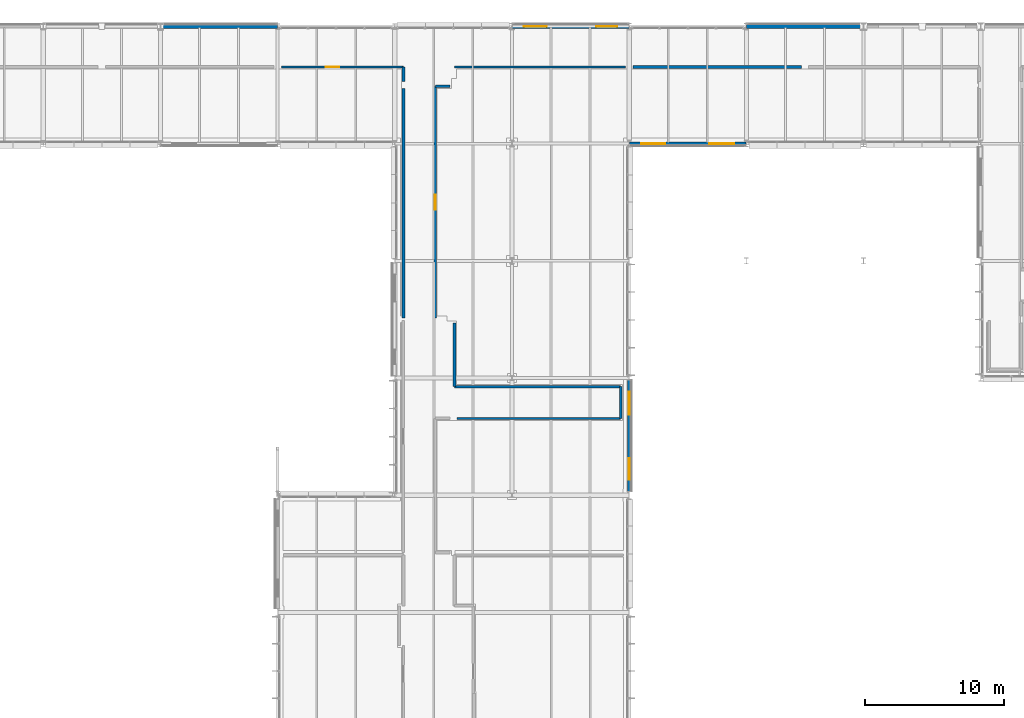
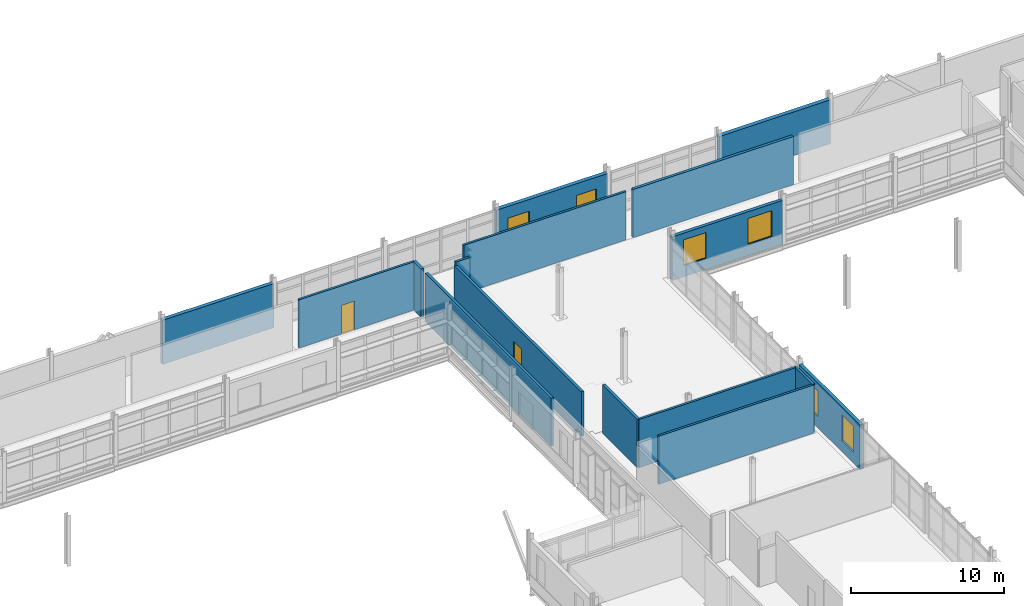
# One storey, part 87 of 103: 16 walls, 6 windows, 2 doors, 8 openings.
"""IFC4 building model written with IfcOpenShell, lengths in metres."""

from ifc_helpers import new_model, si_unit, direction, frame, frame_2d, origin, place, context, subcontext, project, spatial, rectangle, extrude, material, layer, layer_set, type_object, element, fill, save


model = new_model("IFC4")

# Units and contexts
model_context = context("Model", 3, precision=1e-05, world=origin(), true_north=direction((0.0, 1.0)))
body_context = subcontext(model_context, "Body", "Model", "MODEL_VIEW")
ifc_project = project(units=[si_unit("LENGTHUNIT", "METRE"), si_unit("AREAUNIT", "SQUARE_METRE"), si_unit("VOLUMEUNIT", "CUBIC_METRE"), si_unit("PLANEANGLEUNIT", "RADIAN"), si_unit("MASSUNIT", "GRAM", prefix="KILO")], contexts=[model_context])

# Site, building, storey
site_placement = place(None, origin())
site = spatial("IfcSite", under=ifc_project, at=site_placement, CompositionType="ELEMENT")
building_placement = place(site_placement, origin())
building = spatial("IfcBuilding", under=site, at=building_placement, Name="Mersafa Astral City Hall", CompositionType="ELEMENT")
storey_placement = place(building_placement, frame((0.0, 0.0, 18.0)))
storey = spatial("IfcBuildingStorey", under=building, at=storey_placement, Name="L04", CompositionType="ELEMENT", Elevation=18.0)

# Wall, openings, windows
ifc_material_1 = material(Name="Precast concrete C40/50 insulated terracotta spandrel", Category="masonry")
ifc_layer_1 = layer(ifc_material_1, 0.235107421875, Name="Precast concrete C40/50 insulated terracotta spandrel")
ifc_layer_set_1 = layer_set([ifc_layer_1], Name="Precast concrete C40/50 insulated terracotta spandrel — ENV-WAL-EXT-235")
wall_type_1 = type_object("IfcWallType", Name="ENV-WAL-EXT-235", PredefinedType="STANDARD", material=ifc_layer_set_1)
wall_1_placement = place(storey_placement, frame((117.60791015625, 117.60009765625, 0.0), z_axis=(0.0, 0.0, 1.0), x_axis=(1.0, 0.0, 0.0)))
wall_1 = element("IfcWall", 1, at=wall_1_placement, inside=storey, type_object=wall_type_1, Name="L04 Limestone-clad exterior wall 329", PredefinedType="STANDARD", context=body_context, shape_type="SweptSolid", body=[
    extrude(rectangle(XDim=8.384033203125, YDim=0.235107421875, at=frame_2d((4.19189453125, 0.0))), origin(), (0.0, 0.0, 1.0), 3.491943359375),
])
opening_1_placement = place(wall_1_placement, frame((0.85009765625, 0.0, 0.89990234375)))
opening_1 = element("IfcOpeningElement", 2, at=opening_1_placement, cuts=wall_1, Name="Opening W-58", PredefinedType="OPENING", context=body_context, shape_type="SweptSolid", body=[
    extrude(rectangle(XDim=1.719970703125, YDim=2.050048828125, at=frame_2d((0.85986328125, 1.02490234375))), frame((0.0, 0.12744140625, 0.0), z_axis=(0.0, -1.0, 0.0), x_axis=(1.0, 0.0, 0.0)), (0.0, 0.0, 1.0), 0.255126953125),
])
opening_2_placement = place(wall_1_placement, frame((5.714111328125, 0.0, 0.89990234375)))
opening_2 = element("IfcOpeningElement", 3, at=opening_2_placement, cuts=wall_1, Name="Opening W-59", PredefinedType="OPENING", context=body_context, shape_type="SweptSolid", body=[
    extrude(rectangle(XDim=1.820068359375, YDim=2.050048828125, at=frame_2d((0.91015625, 1.02490234375))), frame((0.0, 0.12744140625, 0.0), z_axis=(0.0, -1.0, 0.0), x_axis=(1.0, 0.0, 0.0)), (0.0, 0.0, 1.0), 0.255126953125),
])
ifc_material_2 = material(Name="Solar control low-e double glazing in bronze frame", Category="glass")
window_type_1 = type_object("IfcWindowType", Name="ENV-WIN-W-58", PartitioningType="SINGLE_PANEL", PredefinedType="WINDOW", material=ifc_material_2)
window_1_placement = place(opening_1_placement, origin())
window_1 = element("IfcWindow", 4, at=window_1_placement, inside=storey, type_object=window_type_1, Name="L04 Solar punched window 329-L", OverallHeight=2.050048828125, OverallWidth=1.719970703125, PartitioningType="SINGLE_PANEL", PredefinedType="WINDOW", context=body_context, shape_type="SweptSolid", body=[
    extrude(rectangle(XDim=1.719970703125, YDim=2.050048828125, at=frame_2d((0.85986328125, 1.02490234375))), frame((0.0, 0.030029296875, 0.0), z_axis=(0.0, -1.0, 0.0), x_axis=(1.0, 0.0, 0.0)), (0.0, 0.0, 1.0), 0.06005859375),
])
fill(opening_1, window_1)
window_type_2 = type_object("IfcWindowType", Name="ENV-WIN-W-59", PartitioningType="SINGLE_PANEL", PredefinedType="WINDOW", material=ifc_material_2)
window_2_placement = place(opening_2_placement, origin())
window_2 = element("IfcWindow", 5, at=window_2_placement, inside=storey, type_object=window_type_2, Name="L04 Solar punched window 329-R", OverallHeight=2.050048828125, OverallWidth=1.820068359375, PartitioningType="SINGLE_PANEL", PredefinedType="WINDOW", context=body_context, shape_type="SweptSolid", body=[
    extrude(rectangle(XDim=1.820068359375, YDim=2.050048828125, at=frame_2d((0.91015625, 1.02490234375))), frame((0.0, 0.030029296875, 0.0), z_axis=(0.0, -1.0, 0.0), x_axis=(1.0, 0.0, 0.0)), (0.0, 0.0, 1.0), 0.06005859375),
])
fill(opening_2, window_2)

ifc_layer_2 = layer(ifc_material_1, 0.25, Name="Precast concrete C40/50 insulated terracotta spandrel")
ifc_layer_set_2 = layer_set([ifc_layer_2], Name="Precast concrete C40/50 insulated terracotta spandrel — ENV-WAL-EXT-250")
wall_type_2 = type_object("IfcWallType", Name="ENV-WAL-EXT-250", PredefinedType="STANDARD", material=ifc_layer_set_2)
wall_2_placement = place(storey_placement, frame((117.60009765625, 92.6708984375, 0.0), z_axis=(0.0, 0.0, 1.0), x_axis=(0.0, 1.0, 0.0)))
wall_2 = element("IfcWall", 6, at=wall_2_placement, inside=storey, type_object=wall_type_2, Name="L04 Limestone-clad exterior wall 328", PredefinedType="STANDARD", context=body_context, shape_type="SweptSolid", body=[
    extrude(rectangle(XDim=7.983154296875, YDim=0.25, at=frame_2d((3.99169921875, 0.0))), origin(), (0.0, 0.0, 1.0), 3.56201171875),
])
opening_3_placement = place(wall_2_placement, frame((0.85009765625, 0.0, 0.89990234375)))
opening_3 = element("IfcOpeningElement", 7, at=opening_3_placement, cuts=wall_2, Name="Opening W-56", PredefinedType="OPENING", context=body_context, shape_type="SweptSolid", body=[
    extrude(rectangle(XDim=1.52001953125, YDim=2.050048828125, at=frame_2d((0.760009765625, 1.02490234375))), frame((0.0, 0.135009765625, 0.0), z_axis=(0.0, -1.0, 0.0), x_axis=(1.0, 0.0, 0.0)), (0.0, 0.0, 1.0), 0.27001953125),
])
opening_4_placement = place(wall_2_placement, frame((5.512939453125, 0.0, 0.89990234375)))
opening_4 = element("IfcOpeningElement", 8, at=opening_4_placement, cuts=wall_2, Name="Opening W-57", PredefinedType="OPENING", context=body_context, shape_type="SweptSolid", body=[
    extrude(rectangle(XDim=1.6201171875, YDim=2.050048828125, at=frame_2d((0.81005859375, 1.02490234375))), frame((0.0, 0.135009765625, 0.0), z_axis=(0.0, -1.0, 0.0), x_axis=(1.0, 0.0, 0.0)), (0.0, 0.0, 1.0), 0.27001953125),
])
window_type_3 = type_object("IfcWindowType", Name="ENV-WIN-W-56", PartitioningType="SINGLE_PANEL", PredefinedType="WINDOW", material=ifc_material_2)
window_3_placement = place(opening_3_placement, origin())
window_3 = element("IfcWindow", 9, at=window_3_placement, inside=storey, type_object=window_type_3, Name="L04 Solar punched window 328-L", OverallHeight=2.050048828125, OverallWidth=1.52001953125, PartitioningType="SINGLE_PANEL", PredefinedType="WINDOW", context=body_context, shape_type="SweptSolid", body=[
    extrude(rectangle(XDim=1.52001953125, YDim=2.050048828125, at=frame_2d((0.760009765625, 1.02490234375))), frame((0.0, 0.030029296875, 0.0), z_axis=(0.0, -1.0, 0.0), x_axis=(1.0, 0.0, 0.0)), (0.0, 0.0, 1.0), 0.06005859375),
])
fill(opening_3, window_3)
window_type_4 = type_object("IfcWindowType", Name="ENV-WIN-W-57", PartitioningType="SINGLE_PANEL", PredefinedType="WINDOW", material=ifc_material_2)
window_4_placement = place(opening_4_placement, origin())
window_4 = element("IfcWindow", 10, at=window_4_placement, inside=storey, type_object=window_type_4, Name="L04 Solar punched window 328-R", OverallHeight=2.050048828125, OverallWidth=1.6201171875, PartitioningType="SINGLE_PANEL", PredefinedType="WINDOW", context=body_context, shape_type="SweptSolid", body=[
    extrude(rectangle(XDim=1.6201171875, YDim=2.050048828125, at=frame_2d((0.81005859375, 1.02490234375))), frame((0.0, 0.030029296875, 0.0), z_axis=(0.0, -1.0, 0.0), x_axis=(1.0, 0.0, 0.0)), (0.0, 0.0, 1.0), 0.06005859375),
])
fill(opening_4, window_4)

# Wall
ifc_material_3 = material(Name="Precast concrete C40/50 insulated limestone wall", Category="masonry")
ifc_layer_3 = layer(ifc_material_3, 0.280029296875, Name="Precast concrete C40/50 insulated limestone wall")
ifc_layer_set_3 = layer_set([ifc_layer_3], Name="Precast concrete C40/50 insulated limestone wall — ENV-WAL-EXT-280")
wall_type_3 = type_object("IfcWallType", Name="ENV-WAL-EXT-280", PredefinedType="STANDARD", material=ifc_layer_set_3)
wall_3_placement = place(storey_placement, frame((92.39208984375, 126.0, 0.0), z_axis=(0.0, 0.0, 1.0), x_axis=(-1.0, 0.0, 0.0)))
element("IfcWall", 11, at=wall_3_placement, inside=storey, type_object=wall_type_3, Name="L04 Limestone-clad exterior wall 302", PredefinedType="STANDARD", context=body_context, shape_type="SweptSolid", body=[
    extrude(rectangle(XDim=8.384033203125, YDim=0.280029296875, at=frame_2d((4.19189453125, 0.0))), origin(), (0.0, 0.0, 1.0), 3.52197265625),
])

# Wall, openings, windows
ifc_layer_4 = layer(ifc_material_3, 0.294921875, Name="Precast concrete C40/50 insulated limestone wall")
ifc_layer_set_4 = layer_set([ifc_layer_4], Name="Precast concrete C40/50 insulated limestone wall — ENV-WAL-EXT-295")
wall_type_4 = type_object("IfcWallType", Name="ENV-WAL-EXT-295", PredefinedType="STANDARD", material=ifc_layer_set_4)
wall_4_placement = place(storey_placement, frame((117.592041015625, 126.0, 0.0), z_axis=(0.0, 0.0, 1.0), x_axis=(-1.0, 0.0, 0.0)))
wall_4 = element("IfcWall", 12, at=wall_4_placement, inside=storey, type_object=wall_type_4, Name="L04 Limestone-clad exterior wall 301", PredefinedType="STANDARD", context=body_context, shape_type="SweptSolid", body=[
    extrude(rectangle(XDim=8.384033203125, YDim=0.294921875, at=frame_2d((4.19189453125, 0.0))), origin(), (0.0, 0.0, 1.0), 3.491943359375),
])
opening_5_placement = place(wall_4_placement, frame((0.85009765625, 0.0, 0.89990234375)))
opening_5 = element("IfcOpeningElement", 13, at=opening_5_placement, cuts=wall_4, Name="Opening W-36", PredefinedType="OPENING", context=body_context, shape_type="SweptSolid", body=[
    extrude(rectangle(XDim=1.52001953125, YDim=1.64990234375, at=frame_2d((0.760009765625, 0.824951171875))), frame((0.0, 0.157470703125, 0.0), z_axis=(0.0, -1.0, 0.0), x_axis=(1.0, 0.0, 0.0)), (0.0, 0.0, 1.0), 0.31494140625),
])
opening_6_placement = place(wall_4_placement, frame((5.9140625, 0.0, 0.89990234375)))
opening_6 = element("IfcOpeningElement", 14, at=opening_6_placement, cuts=wall_4, Name="Opening W-37", PredefinedType="OPENING", context=body_context, shape_type="SweptSolid", body=[
    extrude(rectangle(XDim=1.6201171875, YDim=1.64990234375, at=frame_2d((0.81005859375, 0.824951171875))), frame((0.0, 0.157470703125, 0.0), z_axis=(0.0, -1.0, 0.0), x_axis=(1.0, 0.0, 0.0)), (0.0, 0.0, 1.0), 0.31494140625),
])
window_type_5 = type_object("IfcWindowType", Name="ENV-WIN-W-36", PartitioningType="SINGLE_PANEL", PredefinedType="WINDOW", material=ifc_material_2)
window_5_placement = place(opening_5_placement, origin())
window_5 = element("IfcWindow", 15, at=window_5_placement, inside=storey, type_object=window_type_5, Name="L04 Solar punched window 301-L", OverallHeight=1.64990234375, OverallWidth=1.52001953125, PartitioningType="SINGLE_PANEL", PredefinedType="WINDOW", context=body_context, shape_type="SweptSolid", body=[
    extrude(rectangle(XDim=1.52001953125, YDim=1.64990234375, at=frame_2d((0.760009765625, 0.824951171875))), frame((0.0, 0.030029296875, 0.0), z_axis=(0.0, -1.0, 0.0), x_axis=(1.0, 0.0, 0.0)), (0.0, 0.0, 1.0), 0.06005859375),
])
fill(opening_5, window_5)
window_type_6 = type_object("IfcWindowType", Name="ENV-WIN-W-37", PartitioningType="SINGLE_PANEL", PredefinedType="WINDOW", material=ifc_material_2)
window_6_placement = place(opening_6_placement, origin())
window_6 = element("IfcWindow", 16, at=window_6_placement, inside=storey, type_object=window_type_6, Name="L04 Solar punched window 301-R", OverallHeight=1.64990234375, OverallWidth=1.6201171875, PartitioningType="SINGLE_PANEL", PredefinedType="WINDOW", context=body_context, shape_type="SweptSolid", body=[
    extrude(rectangle(XDim=1.6201171875, YDim=1.64990234375, at=frame_2d((0.81005859375, 0.824951171875))), frame((0.0, 0.030029296875, 0.0), z_axis=(0.0, -1.0, 0.0), x_axis=(1.0, 0.0, 0.0)), (0.0, 0.0, 1.0), 0.06005859375),
])
fill(opening_6, window_6)

# Walls
ifc_layer_5 = layer(ifc_material_3, 0.31005859375, Name="Precast concrete C40/50 insulated limestone wall")
ifc_layer_set_5 = layer_set([ifc_layer_5], Name="Precast concrete C40/50 insulated limestone wall — ENV-WAL-EXT-310")
wall_type_5 = type_object("IfcWallType", Name="ENV-WAL-EXT-310", PredefinedType="STANDARD", material=ifc_layer_set_5)
wall_5_placement = place(storey_placement, frame((134.39208984375, 126.0, 0.0), z_axis=(0.0, 0.0, 1.0), x_axis=(-1.0, 0.0, 0.0)))
element("IfcWall", 17, at=wall_5_placement, inside=storey, type_object=wall_type_5, Name="L04 Limestone-clad exterior wall 300", PredefinedType="STANDARD", context=body_context, shape_type="SweptSolid", body=[
    extrude(rectangle(XDim=8.384033203125, YDim=0.31005859375, at=frame_2d((4.19189453125, 0.0))), origin(), (0.0, 0.0, 1.0), 3.491943359375),
])
ifc_material_4 = material(Name="Fire-rated gypsum stud partition", Category="gypsum")
ifc_layer_6 = layer(ifc_material_4, 0.1650390625, Name="Fire-rated gypsum stud partition")
ifc_layer_set_6 = layer_set([ifc_layer_6], Name="Fire-rated gypsum stud partition — INT-WAL-PART-EI60-165")
wall_type_6 = type_object("IfcWallType", Name="INT-WAL-PART-EI60-165", PredefinedType="STANDARD", material=ifc_layer_set_6)
wall_6_placement = place(storey_placement, frame((116.97998046875, 100.179931640625, -0.00390625), z_axis=(0.0, 0.0, 1.0), x_axis=(-1.0, 0.0, 0.0)))
element("IfcWall", 18, at=wall_6_placement, inside=storey, type_object=wall_type_6, Name="L04 Interior partition wall 679", PredefinedType="STANDARD", context=body_context, shape_type="SweptSolid", body=[
    extrude(rectangle(XDim=11.889892578125, YDim=0.1650390625, at=frame_2d((5.94482421875, 0.0))), origin(), (0.0, 0.0, 1.0), 3.85400390625),
])
wall_7_placement = place(storey_placement, frame((105.090087890625, 123.10009765625, -0.00390625), z_axis=(0.0, 0.0, 1.0), x_axis=(1.0, 0.0, 0.0)))
element("IfcWall", 19, at=wall_7_placement, inside=storey, type_object=wall_type_6, Name="L04 Interior partition wall 683", PredefinedType="STANDARD", context=body_context, shape_type="SweptSolid", body=[
    extrude(rectangle(XDim=12.25, YDim=0.1650390625, at=frame_2d((6.125, 0.0))), origin(), (0.0, 0.0, 1.0), 3.85400390625),
])
wall_8_placement = place(storey_placement, frame((105.260009765625, 97.89990234375, -0.00390625), z_axis=(0.0, 0.0, 1.0), x_axis=(1.0, 0.0, 0.0)))
element("IfcWall", 20, at=wall_8_placement, inside=storey, type_object=wall_type_6, Name="L04 Interior partition wall 691", PredefinedType="STANDARD", context=body_context, shape_type="SweptSolid", body=[
    extrude(rectangle(XDim=11.719970703125, YDim=0.1650390625, at=frame_2d((5.85986328125, 0.0))), origin(), (0.0, 0.0, 1.0), 3.85400390625),
])

# Wall, opening, door
wall_9_placement = place(storey_placement, frame((92.659912109375, 123.10009765625, -0.00390625), z_axis=(0.0, 0.0, 1.0), x_axis=(1.0, 0.0, 0.0)))
wall_9 = element("IfcWall", 21, at=wall_9_placement, inside=storey, type_object=wall_type_6, Name="L04 Interior partition wall 731", PredefinedType="STANDARD", context=body_context, shape_type="SweptSolid", body=[
    extrude(rectangle(XDim=8.760009765625, YDim=0.1650390625, at=frame_2d((4.3798828125, 0.0))), origin(), (0.0, 0.0, 1.0), 3.85400390625),
])
opening_7_placement = place(wall_9_placement, frame((3.189208984375, 0.0, 0.0)))
opening_7 = element("IfcOpeningElement", 22, at=opening_7_placement, cuts=wall_9, Name="Opening D-29", PredefinedType="OPENING", context=body_context, shape_type="SweptSolid", body=[
    extrude(rectangle(XDim=0.97998046875, YDim=2.300048828125, at=frame_2d((0.489990234375, 1.14990234375))), frame((0.0, 0.092529296875, 0.0), z_axis=(0.0, -1.0, 0.0), x_axis=(1.0, 0.0, 0.0)), (0.0, 0.0, 1.0), 0.18505859375),
])
ifc_material_5 = material(Name="Cedar veneered acoustic fire-rated timber door", Category="wood")
door_type_1 = type_object("IfcDoorType", Name="INT-DR-RM-D-29", OperationType="NOTDEFINED", PredefinedType="DOOR", material=ifc_material_5)
door_1_placement = place(opening_7_placement, origin())
door_1 = element("IfcDoor", 23, at=door_1_placement, inside=storey, type_object=door_type_1, Name="L04 Environmental & Climate Planning Studio L04-10 Entrance Door", OperationType="SINGLE_SWING_LEFT", OverallHeight=2.300048828125, OverallWidth=0.97998046875, PredefinedType="DOOR", context=body_context, shape_type="SweptSolid", body=[
    extrude(rectangle(XDim=0.97998046875, YDim=2.300048828125, at=frame_2d((0.489990234375, 1.14990234375))), frame((0.0, 0.02490234375, 0.0), z_axis=(0.0, -1.0, 0.0), x_axis=(1.0, 0.0, 0.0)), (0.0, 0.0, 1.0), 0.050048828125),
])
fill(opening_7, door_1)

# Walls
ifc_material_6 = material(Name="Acoustic twin-stud gypsum partition", Category="gypsum")
ifc_layer_7 = layer(ifc_material_6, 0.179931640625, Name="Acoustic twin-stud gypsum partition")
ifc_layer_set_7 = layer_set([ifc_layer_7], Name="Acoustic twin-stud gypsum partition — INT-WAL-PART-EI60-180")
wall_type_7 = type_object("IfcWallType", Name="INT-WAL-PART-EI60-180", PredefinedType="STANDARD", material=ifc_layer_set_7)
wall_10_placement = place(storey_placement, frame((116.97998046875, 97.89990234375, -0.00390625), z_axis=(0.0, 0.0, 1.0), x_axis=(0.0, 1.0, 0.0)))
element("IfcWall", 24, at=wall_10_placement, inside=storey, type_object=wall_type_7, Name="L04 Interior partition wall 678", PredefinedType="STANDARD", context=body_context, shape_type="SweptSolid", body=[
    extrude(rectangle(XDim=2.280029296875, YDim=0.179931640625, at=frame_2d((1.14013671875, 0.0))), origin(), (0.0, 0.0, 1.0), 3.85400390625),
])
wall_11_placement = place(storey_placement, frame((103.699951171875, 121.7099609375, -0.00390625), z_axis=(0.0, 0.0, 1.0), x_axis=(1.0, 0.0, 0.0)))
element("IfcWall", 25, at=wall_11_placement, inside=storey, type_object=wall_type_7, Name="L04 Interior partition wall 682", PredefinedType="STANDARD", context=body_context, shape_type="SweptSolid", body=[
    extrude(rectangle(XDim=1.0400390625, YDim=0.179931640625, at=frame_2d((0.52001953125, 0.0))), origin(), (0.0, 0.0, 1.0), 3.85400390625),
])

# Wall, opening, door
ifc_layer_8 = layer(ifc_material_6, 0.195068359375, Name="Acoustic twin-stud gypsum partition")
ifc_layer_set_8 = layer_set([ifc_layer_8], Name="Acoustic twin-stud gypsum partition — INT-WAL-PART-EI60-195")
wall_type_8 = type_object("IfcWallType", Name="INT-WAL-PART-EI60-195", PredefinedType="STANDARD", material=ifc_layer_set_8)
wall_12_placement = place(storey_placement, frame((103.699951171875, 105.090087890625, -0.00390625), z_axis=(0.0, 0.0, 1.0), x_axis=(0.0, 1.0, 0.0)))
wall_12 = element("IfcWall", 26, at=wall_12_placement, inside=storey, type_object=wall_type_8, Name="L04 Interior partition wall 681", PredefinedType="STANDARD", context=body_context, shape_type="SweptSolid", body=[
    extrude(rectangle(XDim=16.619873046875, YDim=0.195068359375, at=frame_2d((8.31005859375, 0.0))), origin(), (0.0, 0.0, 1.0), 3.555908203125),
])
opening_8_placement = place(wall_12_placement, frame((7.7900390625, 0.0, 0.0)))
opening_8 = element("IfcOpeningElement", 27, at=opening_8_placement, cuts=wall_12, Name="Opening D-21", PredefinedType="OPENING", context=body_context, shape_type="SweptSolid", body=[
    extrude(rectangle(XDim=1.0400390625, YDim=2.219970703125, at=frame_2d((0.52001953125, 1.10986328125))), frame((0.0, 0.107421875, 0.0), z_axis=(0.0, -1.0, 0.0), x_axis=(1.0, 0.0, 0.0)), (0.0, 0.0, 1.0), 0.215087890625),
])
door_type_2 = type_object("IfcDoorType", Name="INT-DR-RM-D-21", OperationType="NOTDEFINED", PredefinedType="DOOR", material=ifc_material_5)
door_2_placement = place(opening_8_placement, origin())
door_2 = element("IfcDoor", 28, at=door_2_placement, inside=storey, type_object=door_type_2, Name="L04 Environmental & Climate Planning Studio L04-02 Entrance Door", OperationType="SINGLE_SWING_LEFT", OverallHeight=2.219970703125, OverallWidth=1.0400390625, PredefinedType="DOOR", context=body_context, shape_type="SweptSolid", body=[
    extrude(rectangle(XDim=1.0400390625, YDim=2.219970703125, at=frame_2d((0.52001953125, 1.10986328125))), frame((0.0, 0.02490234375, 0.0), z_axis=(0.0, -1.0, 0.0), x_axis=(1.0, 0.0, 0.0)), (0.0, 0.0, 1.0), 0.050048828125),
])
fill(opening_8, door_2)

# Walls
wall_13_placement = place(storey_placement, frame((101.419921875, 121.5400390625, -0.00390625), z_axis=(0.0, 0.0, 1.0), x_axis=(0.0, -1.0, 0.0)))
element("IfcWall", 29, at=wall_13_placement, inside=storey, type_object=wall_type_8, Name="L04 Interior partition wall 733", PredefinedType="STANDARD", context=body_context, shape_type="SweptSolid", body=[
    extrude(rectangle(XDim=16.449951171875, YDim=0.195068359375, at=frame_2d((8.22509765625, 0.0))), origin(), (0.0, 0.0, 1.0), 3.85400390625),
])
ifc_material_7 = material(Name="Autoclaved aerated concrete blockwork plastered", Category="masonry")
ifc_layer_9 = layer(ifc_material_7, 0.2099609375, Name="Autoclaved aerated concrete blockwork plastered")
ifc_layer_set_9 = layer_set([ifc_layer_9], Name="Autoclaved aerated concrete blockwork plastered — INT-WAL-PART-EI60-210")
wall_type_9 = type_object("IfcWallType", Name="INT-WAL-PART-EI60-210", PredefinedType="STANDARD", material=ifc_layer_set_9)
wall_14_placement = place(storey_placement, frame((105.090087890625, 100.179931640625, -0.00390625), z_axis=(0.0, 0.0, 1.0), x_axis=(0.0, 1.0, 0.0)))
element("IfcWall", 30, at=wall_14_placement, inside=storey, type_object=wall_type_9, Name="L04 Interior partition wall 680", PredefinedType="STANDARD", context=body_context, shape_type="SweptSolid", body=[
    extrude(rectangle(XDim=4.56005859375, YDim=0.2099609375, at=frame_2d((2.280029296875, 0.0))), origin(), (0.0, 0.0, 1.0), 3.85400390625),
])
wall_15_placement = place(storey_placement, frame((117.860107421875, 123.10009765625, -0.00390625), z_axis=(0.0, 0.0, 1.0), x_axis=(1.0, 0.0, 0.0)))
element("IfcWall", 31, at=wall_15_placement, inside=storey, type_object=wall_type_9, Name="L04 Interior partition wall 684", PredefinedType="STANDARD", context=body_context, shape_type="SweptSolid", body=[
    extrude(rectangle(XDim=12.079833984375, YDim=0.2099609375, at=frame_2d((6.0400390625, 0.0))), origin(), (0.0, 0.0, 1.0), 3.85400390625),
])
wall_16_placement = place(storey_placement, frame((101.419921875, 123.10009765625, -0.00390625), z_axis=(0.0, 0.0, 1.0), x_axis=(0.0, -1.0, 0.0)))
element("IfcWall", 32, at=wall_16_placement, inside=storey, type_object=wall_type_9, Name="L04 Interior partition wall 732", PredefinedType="STANDARD", context=body_context, shape_type="SweptSolid", body=[
    extrude(rectangle(XDim=1.0400390625, YDim=0.2099609375, at=frame_2d((0.52001953125, 0.0))), origin(), (0.0, 0.0, 1.0), 3.85400390625),
])

save(model, "model.ifc")
